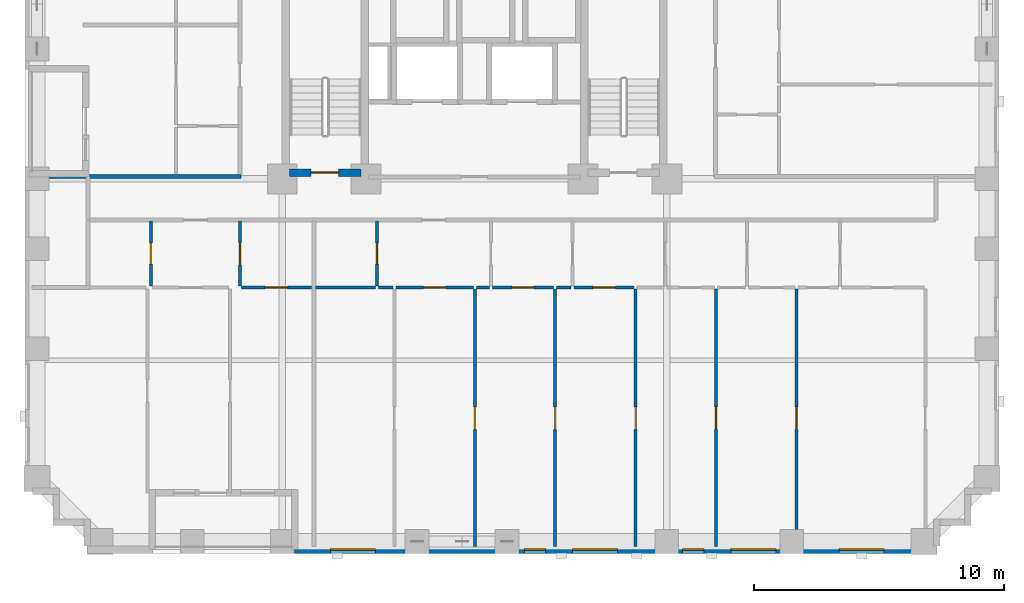
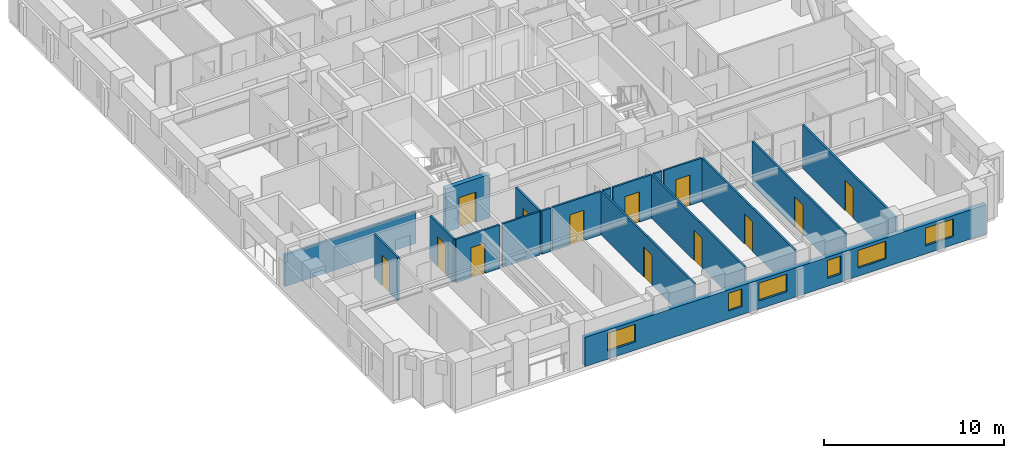
# One storey, part 3 of 14: 19 walls, 13 doors, 6 windows, 19 openings.
"""IFC4 building model written with IfcOpenShell, lengths in metres."""

from ifc_helpers import new_model, si_unit, derived_unit, direction, frame, frame_2d, origin, place, context, subcontext, project, spatial, rectangle, extrude, material, layer, layer_set, type_object, element, fill, save


model = new_model("IFC4")

# Units and contexts
model_context = context("Model", 3, precision=1e-05, world=origin(), true_north=direction((0.0, 1.0)))
body_context = subcontext(model_context, "Body", "Model", "MODEL_VIEW")
ifc_project = project(units=[si_unit("LENGTHUNIT", "METRE"), si_unit("AREAUNIT", "SQUARE_METRE"), si_unit("VOLUMEUNIT", "CUBIC_METRE"), si_unit("PLANEANGLEUNIT", "RADIAN"), si_unit("MASSUNIT", "GRAM", prefix="KILO"), derived_unit("THERMALTRANSMITTANCEUNIT", [(si_unit("MASSUNIT", "GRAM", prefix="KILO"), 1), (si_unit("TIMEUNIT", "SECOND"), -3), (si_unit("THERMODYNAMICTEMPERATUREUNIT", "KELVIN"), -1)])], contexts=[model_context])

# Site, building, storey
site_placement = place(None, origin())
site = spatial("IfcSite", under=ifc_project, at=site_placement, CompositionType="ELEMENT")
building_placement = place(site_placement, origin())
building = spatial("IfcBuilding", under=site, at=building_placement, Name="Korrvale Station Residences", CompositionType="ELEMENT")
storey_placement = place(building_placement, frame((0.0, 0.0, 38.60009765625)))
storey = spatial("IfcBuildingStorey", under=building, at=storey_placement, Name="L09", CompositionType="ELEMENT", Elevation=38.60009765625)

# Wall, opening, door
ifc_material_1 = material(Name="Concrete C70/85", Category="concrete")
ifc_layer_1 = layer(ifc_material_1, 0.300048828125, Name="Concrete C70/85")
ifc_layer_set_1 = layer_set([ifc_layer_1], Name="Concrete C70/85")
wall_type_1 = type_object("IfcWallType", Name="WAL-CORE-300-C70", PredefinedType="SHEAR", material=ifc_layer_set_1)
wall_1_placement = place(storey_placement, frame((18.10009765625, 15.25, 0.0), z_axis=(0.0, 0.0, 1.0), x_axis=(1.0, 0.0, 0.0)))
wall_1 = element("IfcWall", 1, at=wall_1_placement, inside=storey, type_object=wall_type_1, Name="L09 ST-1 Core Shear Wall South", PredefinedType="SHEAR", context=body_context, shape_type="SweptSolid", body=[
    extrude(rectangle(XDim=2.849853515625, YDim=0.300048828125, at=frame_2d((1.4248046875, 0.0))), origin(), (0.0, 0.0, 1.0), 2.93994140625),
])
opening_1_placement = place(wall_1_placement, frame((0.860107421875, 0.0, 0.0)))
opening_1 = element("IfcOpeningElement", 2, at=opening_1_placement, cuts=wall_1, Name="Opening SD-1100", PredefinedType="OPENING", context=body_context, shape_type="SweptSolid", body=[
    extrude(rectangle(XDim=1.10009765625, YDim=2.050048828125, at=frame_2d((0.550048828125, 1.02490234375))), frame((0.0, 0.16015625, 0.0), z_axis=(0.0, -1.0, 0.0), x_axis=(1.0, 0.0, 0.0)), (0.0, 0.0, 1.0), 0.320068359375),
])
ifc_material_2 = material(Name="Hollow-metal fire-rated stair door with closer", Category="steel")
door_type_1 = type_object("IfcDoorType", Name="DR-STAIR-1100", OperationType="NOTDEFINED", PredefinedType="DOOR", material=ifc_material_2)
door_1_placement = place(opening_1_placement, origin())
door_1 = element("IfcDoor", 3, at=door_1_placement, inside=storey, type_object=door_type_1, Name="L09 ST-1 Exit Stair Door", OperationType="SINGLE_SWING_LEFT", OverallHeight=2.050048828125, OverallWidth=1.10009765625, PredefinedType="DOOR", context=body_context, shape_type="SweptSolid", body=[
    extrude(rectangle(XDim=1.10009765625, YDim=2.050048828125, at=frame_2d((0.550048828125, 1.02490234375))), frame((0.0, 0.02490234375, 0.0), z_axis=(0.0, -1.0, 0.0), x_axis=(1.0, 0.0, 0.0)), (0.0, 0.0, 1.0), 0.050048828125),
])
fill(opening_1, door_1)

# Wall, openings, windows
ifc_material_3 = material(Name="Precast concrete C45/55", Category="concrete")
ifc_layer_2 = layer(ifc_material_3, 0.300048828125, Name="Precast concrete C45/55")
ifc_layer_set_2 = layer_set([ifc_layer_2], Name="Precast concrete C45/55")
wall_type_2 = type_object("IfcWallType", Name="WAL-EXT-PC300", PredefinedType="SOLIDWALL", material=ifc_layer_set_2)
wall_2_placement = place(storey_placement, frame((44.0, 0.14990234375, 0.0), z_axis=(0.0, 0.0, 1.0), x_axis=(-1.0, 0.0, 0.0)))
wall_2 = element("IfcWall", 4, at=wall_2_placement, inside=storey, type_object=wall_type_2, Name="L09 South Exterior Precast Wall 1", PredefinedType="SOLIDWALL", context=body_context, shape_type="SweptSolid", body=[
    extrude(rectangle(XDim=25.699951171875, YDim=0.300048828125, at=frame_2d((12.85009765625, 0.0))), origin(), (0.0, 0.0, 1.0), 1.974853515625),
])
opening_2_placement = place(wall_2_placement, frame((22.470947265625, 0.0, 0.550048828125)))
opening_2 = element("IfcOpeningElement", 5, at=opening_2_placement, cuts=wall_2, Name="Opening W-09", PredefinedType="OPENING", context=body_context, shape_type="SweptSolid", body=[
    extrude(rectangle(XDim=1.800048828125, YDim=1.199951171875, at=frame_2d((0.89990234375, 0.60009765625))), frame((0.0, 0.16015625, 0.0), z_axis=(0.0, -1.0, 0.0), x_axis=(1.0, 0.0, 0.0)), (0.0, 0.0, 1.0), 0.320068359375),
])
opening_3_placement = place(wall_2_placement, frame((15.64990234375, 0.0, 0.550048828125)))
opening_3 = element("IfcOpeningElement", 6, at=opening_3_placement, cuts=wall_2, Name="Opening W-11", PredefinedType="OPENING", context=body_context, shape_type="SweptSolid", body=[
    extrude(rectangle(XDim=0.85009765625, YDim=1.199951171875, at=frame_2d((0.425048828125, 0.60009765625))), frame((0.0, 0.16015625, 0.0), z_axis=(0.0, -1.0, 0.0), x_axis=(1.0, 0.0, 0.0)), (0.0, 0.0, 1.0), 0.320068359375),
])
opening_4_placement = place(wall_2_placement, frame((12.777099609375, 0.0, 0.550048828125)))
opening_4 = element("IfcOpeningElement", 7, at=opening_4_placement, cuts=wall_2, Name="Opening W-09", PredefinedType="OPENING", context=body_context, shape_type="SweptSolid", body=[
    extrude(rectangle(XDim=1.800048828125, YDim=1.199951171875, at=frame_2d((0.89990234375, 0.60009765625))), frame((0.0, 0.16015625, 0.0), z_axis=(0.0, -1.0, 0.0), x_axis=(1.0, 0.0, 0.0)), (0.0, 0.0, 1.0), 0.320068359375),
])
opening_5_placement = place(wall_2_placement, frame((9.31494140625, 0.0, 0.550048828125)))
opening_5 = element("IfcOpeningElement", 8, at=opening_5_placement, cuts=wall_2, Name="Opening W-11", PredefinedType="OPENING", context=body_context, shape_type="SweptSolid", body=[
    extrude(rectangle(XDim=0.85009765625, YDim=1.199951171875, at=frame_2d((0.425048828125, 0.60009765625))), frame((0.0, 0.16015625, 0.0), z_axis=(0.0, -1.0, 0.0), x_axis=(1.0, 0.0, 0.0)), (0.0, 0.0, 1.0), 0.320068359375),
])
opening_6_placement = place(wall_2_placement, frame((6.43505859375, 0.0, 0.550048828125)))
opening_6 = element("IfcOpeningElement", 9, at=opening_6_placement, cuts=wall_2, Name="Opening W-09", PredefinedType="OPENING", context=body_context, shape_type="SweptSolid", body=[
    extrude(rectangle(XDim=1.800048828125, YDim=1.199951171875, at=frame_2d((0.89990234375, 0.60009765625))), frame((0.0, 0.16015625, 0.0), z_axis=(0.0, -1.0, 0.0), x_axis=(1.0, 0.0, 0.0)), (0.0, 0.0, 1.0), 0.320068359375),
])
opening_7_placement = place(wall_2_placement, frame((2.10595703125, 0.0, 0.550048828125)))
opening_7 = element("IfcOpeningElement", 10, at=opening_7_placement, cuts=wall_2, Name="Opening W-09", PredefinedType="OPENING", context=body_context, shape_type="SweptSolid", body=[
    extrude(rectangle(XDim=1.800048828125, YDim=1.199951171875, at=frame_2d((0.89990234375, 0.60009765625))), frame((0.0, 0.16015625, 0.0), z_axis=(0.0, -1.0, 0.0), x_axis=(1.0, 0.0, 0.0)), (0.0, 0.0, 1.0), 0.320068359375),
])
ifc_material_4 = material(Name="Thermally broken aluminium frame with triple low-e glazing", Category="aluminium")
window_type_1 = type_object("IfcWindowType", Name="WIN-W09", PartitioningType="DOUBLE_PANEL_VERTICAL", PredefinedType="WINDOW", material=ifc_material_4)
window_1_placement = place(opening_2_placement, origin())
window_1 = element("IfcWindow", 11, at=window_1_placement, inside=storey, type_object=window_type_1, Name="L09 Punched Window 05", OverallHeight=1.199951171875, OverallWidth=1.800048828125, PartitioningType="DOUBLE_PANEL_VERTICAL", PredefinedType="WINDOW", context=body_context, shape_type="SweptSolid", body=[
    extrude(rectangle(XDim=1.800048828125, YDim=1.199951171875, at=frame_2d((0.89990234375, 0.60009765625))), frame((0.0, 0.030029296875, 0.0), z_axis=(0.0, -1.0, 0.0), x_axis=(1.0, 0.0, 0.0)), (0.0, 0.0, 1.0), 0.06005859375),
])
fill(opening_2, window_1)
window_2_placement = place(opening_4_placement, origin())
window_2 = element("IfcWindow", 12, at=window_2_placement, inside=storey, type_object=window_type_1, Name="L09 Punched Window 07", OverallHeight=1.199951171875, OverallWidth=1.800048828125, PartitioningType="DOUBLE_PANEL_VERTICAL", PredefinedType="WINDOW", context=body_context, shape_type="SweptSolid", body=[
    extrude(rectangle(XDim=1.800048828125, YDim=1.199951171875, at=frame_2d((0.89990234375, 0.60009765625))), frame((0.0, 0.030029296875, 0.0), z_axis=(0.0, -1.0, 0.0), x_axis=(1.0, 0.0, 0.0)), (0.0, 0.0, 1.0), 0.06005859375),
])
fill(opening_4, window_2)
window_3_placement = place(opening_6_placement, origin())
window_3 = element("IfcWindow", 13, at=window_3_placement, inside=storey, type_object=window_type_1, Name="L09 Punched Window 09", OverallHeight=1.199951171875, OverallWidth=1.800048828125, PartitioningType="DOUBLE_PANEL_VERTICAL", PredefinedType="WINDOW", context=body_context, shape_type="SweptSolid", body=[
    extrude(rectangle(XDim=1.800048828125, YDim=1.199951171875, at=frame_2d((0.89990234375, 0.60009765625))), frame((0.0, 0.030029296875, 0.0), z_axis=(0.0, -1.0, 0.0), x_axis=(1.0, 0.0, 0.0)), (0.0, 0.0, 1.0), 0.06005859375),
])
fill(opening_6, window_3)
window_4_placement = place(opening_7_placement, origin())
window_4 = element("IfcWindow", 14, at=window_4_placement, inside=storey, type_object=window_type_1, Name="L09 Punched Window 10", OverallHeight=1.199951171875, OverallWidth=1.800048828125, PartitioningType="DOUBLE_PANEL_VERTICAL", PredefinedType="WINDOW", context=body_context, shape_type="SweptSolid", body=[
    extrude(rectangle(XDim=1.800048828125, YDim=1.199951171875, at=frame_2d((0.89990234375, 0.60009765625))), frame((0.0, 0.030029296875, 0.0), z_axis=(0.0, -1.0, 0.0), x_axis=(1.0, 0.0, 0.0)), (0.0, 0.0, 1.0), 0.06005859375),
])
fill(opening_7, window_4)
window_type_2 = type_object("IfcWindowType", Name="WIN-W11", PartitioningType="SINGLE_PANEL", PredefinedType="WINDOW", material=ifc_material_4)
window_5_placement = place(opening_3_placement, origin())
window_5 = element("IfcWindow", 15, at=window_5_placement, inside=storey, type_object=window_type_2, Name="L09 Punched Window 06", OverallHeight=1.199951171875, OverallWidth=0.85009765625, PartitioningType="SINGLE_PANEL", PredefinedType="WINDOW", context=body_context, shape_type="SweptSolid", body=[
    extrude(rectangle(XDim=0.85009765625, YDim=1.199951171875, at=frame_2d((0.425048828125, 0.60009765625))), frame((0.0, 0.030029296875, 0.0), z_axis=(0.0, -1.0, 0.0), x_axis=(1.0, 0.0, 0.0)), (0.0, 0.0, 1.0), 0.06005859375),
])
fill(opening_3, window_5)
window_6_placement = place(opening_5_placement, origin())
window_6 = element("IfcWindow", 16, at=window_6_placement, inside=storey, type_object=window_type_2, Name="L09 Punched Window 08", OverallHeight=1.199951171875, OverallWidth=0.85009765625, PartitioningType="SINGLE_PANEL", PredefinedType="WINDOW", context=body_context, shape_type="SweptSolid", body=[
    extrude(rectangle(XDim=0.85009765625, YDim=1.199951171875, at=frame_2d((0.425048828125, 0.60009765625))), frame((0.0, 0.030029296875, 0.0), z_axis=(0.0, -1.0, 0.0), x_axis=(1.0, 0.0, 0.0)), (0.0, 0.0, 1.0), 0.06005859375),
])
fill(opening_5, window_6)

# Wall, opening, door
ifc_material_5 = material(Name="Acoustic steel-stud gypsum board partition", Category="steel")
ifc_layer_3 = layer(ifc_material_5, 0.1201171875, Name="Acoustic steel-stud gypsum board partition")
ifc_layer_set_3 = layer_set([ifc_layer_3], Name="Acoustic steel-stud gypsum board partition")
wall_type_3 = type_object("IfcWallType", Name="WAL-PART-125", PredefinedType="PARTITIONING", material=ifc_layer_set_3)
wall_3_placement = place(storey_placement, frame((12.5400390625, 10.7099609375, 0.0), z_axis=(0.0, 0.0, 1.0), x_axis=(0.0, 1.0, 0.0)))
wall_3 = element("IfcWall", 17, at=wall_3_placement, inside=storey, type_object=wall_type_3, Name="L09 Suite Partition U01-V01", PredefinedType="PARTITIONING", context=body_context, shape_type="SweptSolid", body=[
    extrude(rectangle(XDim=2.60009765625, YDim=0.1201171875, at=frame_2d((1.300048828125, 0.0))), origin(), (0.0, 0.0, 1.0), 2.93994140625),
])
opening_8_placement = place(wall_3_placement, frame((0.8701171875, 0.0, 0.0)))
opening_8 = element("IfcOpeningElement", 18, at=opening_8_placement, cuts=wall_3, Name="Opening DB-860", PredefinedType="OPENING", context=body_context, shape_type="SweptSolid", body=[
    extrude(rectangle(XDim=0.860107421875, YDim=2.050048828125, at=frame_2d((0.43017578125, 1.02490234375))), frame((0.0, 0.070068359375, 0.0), z_axis=(0.0, -1.0, 0.0), x_axis=(1.0, 0.0, 0.0)), (0.0, 0.0, 1.0), 0.14013671875),
])
ifc_material_6 = material(Name="Moisture-resistant solid-core bathroom door", Category="timber")
door_type_2 = type_object("IfcDoorType", Name="DR-BATH-860", OperationType="NOTDEFINED", PredefinedType="DOOR", material=ifc_material_6)
door_2_placement = place(opening_8_placement, origin())
door_2 = element("IfcDoor", 19, at=door_2_placement, inside=storey, type_object=door_type_2, Name="L09 Apartment 2BR L09-U01 Bathroom Door", OperationType="SINGLE_SWING_RIGHT", OverallHeight=2.050048828125, OverallWidth=0.860107421875, PredefinedType="DOOR", context=body_context, shape_type="SweptSolid", body=[
    extrude(rectangle(XDim=0.860107421875, YDim=2.050048828125, at=frame_2d((0.43017578125, 1.02490234375))), frame((0.0, 0.02490234375, 0.0), z_axis=(0.0, -1.0, 0.0), x_axis=(1.0, 0.0, 0.0)), (0.0, 0.0, 1.0), 0.050048828125),
])
fill(opening_8, door_2)

wall_4_placement = place(storey_placement, frame((16.110107421875, 10.7099609375, 0.0), z_axis=(0.0, 0.0, 1.0), x_axis=(0.0, 1.0, 0.0)))
wall_4 = element("IfcWall", 20, at=wall_4_placement, inside=storey, type_object=wall_type_3, Name="L09 Suite Partition U01-V12", PredefinedType="PARTITIONING", context=body_context, shape_type="SweptSolid", body=[
    extrude(rectangle(XDim=2.60009765625, YDim=0.1201171875, at=frame_2d((1.300048828125, 0.0))), origin(), (0.0, 0.0, 1.0), 2.93994140625),
])
opening_9_placement = place(wall_4_placement, frame((0.85009765625, 0.0, 0.0)))
opening_9 = element("IfcOpeningElement", 21, at=opening_9_placement, cuts=wall_4, Name="Opening DI-900", PredefinedType="OPENING", context=body_context, shape_type="SweptSolid", body=[
    extrude(rectangle(XDim=0.89990234375, YDim=2.050048828125, at=frame_2d((0.449951171875, 1.02490234375))), frame((0.0, 0.070068359375, 0.0), z_axis=(0.0, -1.0, 0.0), x_axis=(1.0, 0.0, 0.0)), (0.0, 0.0, 1.0), 0.14013671875),
])
ifc_material_7 = material(Name="Painted solid-core timber interior room door", Category="wood")
door_type_3 = type_object("IfcDoorType", Name="DR-INT-900", OperationType="NOTDEFINED", PredefinedType="DOOR", material=ifc_material_7)
door_3_placement = place(opening_9_placement, origin())
door_3 = element("IfcDoor", 22, at=door_3_placement, inside=storey, type_object=door_type_3, Name="L09 Apartment 2BR L09-U01 Kitchen Door", OperationType="SINGLE_SWING_LEFT", OverallHeight=2.050048828125, OverallWidth=0.89990234375, PredefinedType="DOOR", context=body_context, shape_type="SweptSolid", body=[
    extrude(rectangle(XDim=0.89990234375, YDim=2.050048828125, at=frame_2d((0.449951171875, 1.02490234375))), frame((0.0, 0.02490234375, 0.0), z_axis=(0.0, -1.0, 0.0), x_axis=(1.0, 0.0, 0.0)), (0.0, 0.0, 1.0), 0.050048828125),
])
fill(opening_9, door_3)

wall_5_placement = place(storey_placement, frame((16.169921875, 10.64990234375, 0.0), z_axis=(0.0, 0.0, 1.0), x_axis=(1.0, 0.0, 0.0)))
wall_5 = element("IfcWall", 23, at=wall_5_placement, inside=storey, type_object=wall_type_3, Name="L09 Suite Partition U01-H25", PredefinedType="PARTITIONING", context=body_context, shape_type="SweptSolid", body=[
    extrude(rectangle(XDim=2.800048828125, YDim=0.1201171875, at=frame_2d((1.39990234375, 0.0))), origin(), (0.0, 0.0, 1.0), 2.93994140625),
])
opening_10_placement = place(wall_5_placement, frame((0.949951171875, 0.0, 0.0)))
opening_10 = element("IfcOpeningElement", 24, at=opening_10_placement, cuts=wall_5, Name="Opening DI-900", PredefinedType="OPENING", context=body_context, shape_type="SweptSolid", body=[
    extrude(rectangle(XDim=0.89990234375, YDim=2.050048828125, at=frame_2d((0.449951171875, 1.02490234375))), frame((0.0, 0.070068359375, 0.0), z_axis=(0.0, -1.0, 0.0), x_axis=(1.0, 0.0, 0.0)), (0.0, 0.0, 1.0), 0.14013671875),
])
door_4_placement = place(opening_10_placement, origin())
door_4 = element("IfcDoor", 25, at=door_4_placement, inside=storey, type_object=door_type_3, Name="L09 Apartment 2BR L09-U01 Utility and Laundry Room Door", OperationType="SINGLE_SWING_LEFT", OverallHeight=2.050048828125, OverallWidth=0.89990234375, PredefinedType="DOOR", context=body_context, shape_type="SweptSolid", body=[
    extrude(rectangle(XDim=0.89990234375, YDim=2.050048828125, at=frame_2d((0.449951171875, 1.02490234375))), frame((0.0, 0.02490234375, 0.0), z_axis=(0.0, -1.0, 0.0), x_axis=(1.0, 0.0, 0.0)), (0.0, 0.0, 1.0), 0.050048828125),
])
fill(opening_10, door_4)

wall_6_placement = place(storey_placement, frame((21.590087890625, 10.7099609375, 0.0), z_axis=(0.0, 0.0, 1.0), x_axis=(0.0, 1.0, 0.0)))
wall_6 = element("IfcWall", 26, at=wall_6_placement, inside=storey, type_object=wall_type_3, Name="L09 Suite Partition U02-V01", PredefinedType="PARTITIONING", context=body_context, shape_type="SweptSolid", body=[
    extrude(rectangle(XDim=2.60009765625, YDim=0.1201171875, at=frame_2d((1.300048828125, 0.0))), origin(), (0.0, 0.0, 1.0), 2.93994140625),
])
opening_11_placement = place(wall_6_placement, frame((0.8701171875, 0.0, 0.0)))
opening_11 = element("IfcOpeningElement", 27, at=opening_11_placement, cuts=wall_6, Name="Opening DB-860", PredefinedType="OPENING", context=body_context, shape_type="SweptSolid", body=[
    extrude(rectangle(XDim=0.860107421875, YDim=2.050048828125, at=frame_2d((0.43017578125, 1.02490234375))), frame((0.0, 0.070068359375, 0.0), z_axis=(0.0, -1.0, 0.0), x_axis=(1.0, 0.0, 0.0)), (0.0, 0.0, 1.0), 0.14013671875),
])
door_5_placement = place(opening_11_placement, origin())
door_5 = element("IfcDoor", 28, at=door_5_placement, inside=storey, type_object=door_type_2, Name="L09 Studio Apartment L09-U02 Bathroom Door", OperationType="SINGLE_SWING_RIGHT", OverallHeight=2.050048828125, OverallWidth=0.860107421875, PredefinedType="DOOR", context=body_context, shape_type="SweptSolid", body=[
    extrude(rectangle(XDim=0.860107421875, YDim=2.050048828125, at=frame_2d((0.43017578125, 1.02490234375))), frame((0.0, 0.02490234375, 0.0), z_axis=(0.0, -1.0, 0.0), x_axis=(1.0, 0.0, 0.0)), (0.0, 0.0, 1.0), 0.050048828125),
])
fill(opening_11, door_5)

# Walls
wall_7_placement = place(storey_placement, frame((19.1298828125, 10.64990234375, 0.0), z_axis=(0.0, 0.0, 1.0), x_axis=(1.0, 0.0, 0.0)))
element("IfcWall", 29, at=wall_7_placement, inside=storey, type_object=wall_type_3, Name="L09 Suite Partition U02-H07", PredefinedType="PARTITIONING", context=body_context, shape_type="SweptSolid", body=[
    extrude(rectangle(XDim=2.400146484375, YDim=0.1201171875, at=frame_2d((1.2001953125, 0.0))), origin(), (0.0, 0.0, 1.0), 2.93994140625),
])
wall_8_placement = place(storey_placement, frame((21.64990234375, 10.64990234375, 0.0), z_axis=(0.0, 0.0, 1.0), x_axis=(1.0, 0.0, 0.0)))
element("IfcWall", 30, at=wall_8_placement, inside=storey, type_object=wall_type_3, Name="L09 Suite Partition U02-H17", PredefinedType="PARTITIONING", context=body_context, shape_type="SweptSolid", body=[
    extrude(rectangle(XDim=0.580078125, YDim=0.1201171875, at=frame_2d((0.2900390625, 0.0))), origin(), (0.0, 0.0, 1.0), 2.93994140625),
])

# Wall, opening, door
wall_9_placement = place(storey_placement, frame((22.35009765625, 10.64990234375, 0.0), z_axis=(0.0, 0.0, 1.0), x_axis=(1.0, 0.0, 0.0)))
wall_9 = element("IfcWall", 31, at=wall_9_placement, inside=storey, type_object=wall_type_3, Name="L09 Suite Partition U02-H18", PredefinedType="PARTITIONING", context=body_context, shape_type="SweptSolid", body=[
    extrude(rectangle(XDim=3.099853515625, YDim=0.1201171875, at=frame_2d((1.5498046875, 0.0))), origin(), (0.0, 0.0, 1.0), 2.93994140625),
])
opening_12_placement = place(wall_9_placement, frame((1.10009765625, 0.0, 0.0)))
opening_12 = element("IfcOpeningElement", 32, at=opening_12_placement, cuts=wall_9, Name="Opening DI-900", PredefinedType="OPENING", context=body_context, shape_type="SweptSolid", body=[
    extrude(rectangle(XDim=0.89990234375, YDim=2.050048828125, at=frame_2d((0.449951171875, 1.02490234375))), frame((0.0, 0.070068359375, 0.0), z_axis=(0.0, -1.0, 0.0), x_axis=(1.0, 0.0, 0.0)), (0.0, 0.0, 1.0), 0.14013671875),
])
door_6_placement = place(opening_12_placement, origin())
door_6 = element("IfcDoor", 33, at=door_6_placement, inside=storey, type_object=door_type_3, Name="L09 Studio Apartment L09-U02 Kitchen Door", OperationType="SINGLE_SWING_RIGHT", OverallHeight=2.050048828125, OverallWidth=0.89990234375, PredefinedType="DOOR", context=body_context, shape_type="SweptSolid", body=[
    extrude(rectangle(XDim=0.89990234375, YDim=2.050048828125, at=frame_2d((0.449951171875, 1.02490234375))), frame((0.0, 0.02490234375, 0.0), z_axis=(0.0, -1.0, 0.0), x_axis=(1.0, 0.0, 0.0)), (0.0, 0.0, 1.0), 0.050048828125),
])
fill(opening_12, door_6)

# Wall
wall_10_placement = place(storey_placement, frame((25.570068359375, 10.64990234375, 0.0), z_axis=(0.0, 0.0, 1.0), x_axis=(1.0, 0.0, 0.0)))
element("IfcWall", 34, at=wall_10_placement, inside=storey, type_object=wall_type_3, Name="L09 Suite Partition U02-H19", PredefinedType="PARTITIONING", context=body_context, shape_type="SweptSolid", body=[
    extrude(rectangle(XDim=0.52001953125, YDim=0.1201171875, at=frame_2d((0.260009765625, 0.0))), origin(), (0.0, 0.0, 1.0), 2.93994140625),
])

# Wall, opening, door
wall_11_placement = place(storey_placement, frame((26.2099609375, 10.64990234375, 0.0), z_axis=(0.0, 0.0, 1.0), x_axis=(1.0, 0.0, 0.0)))
wall_11 = element("IfcWall", 35, at=wall_11_placement, inside=storey, type_object=wall_type_3, Name="L09 Suite Partition U02-H29", PredefinedType="PARTITIONING", context=body_context, shape_type="SweptSolid", body=[
    extrude(rectangle(XDim=2.4599609375, YDim=0.1201171875, at=frame_2d((1.22998046875, 0.0))), origin(), (0.0, 0.0, 1.0), 2.93994140625),
])
opening_13_placement = place(wall_11_placement, frame((0.780029296875, 0.0, 0.0)))
opening_13 = element("IfcOpeningElement", 36, at=opening_13_placement, cuts=wall_11, Name="Opening DI-900", PredefinedType="OPENING", context=body_context, shape_type="SweptSolid", body=[
    extrude(rectangle(XDim=0.89990234375, YDim=2.050048828125, at=frame_2d((0.449951171875, 1.02490234375))), frame((0.0, 0.070068359375, 0.0), z_axis=(0.0, -1.0, 0.0), x_axis=(1.0, 0.0, 0.0)), (0.0, 0.0, 1.0), 0.14013671875),
])
door_7_placement = place(opening_13_placement, origin())
door_7 = element("IfcDoor", 37, at=door_7_placement, inside=storey, type_object=door_type_3, Name="L09 Studio Apartment L09-U02 Utility and Laundry Room Door", OperationType="SINGLE_SWING_RIGHT", OverallHeight=2.050048828125, OverallWidth=0.89990234375, PredefinedType="DOOR", context=body_context, shape_type="SweptSolid", body=[
    extrude(rectangle(XDim=0.89990234375, YDim=2.050048828125, at=frame_2d((0.449951171875, 1.02490234375))), frame((0.0, 0.02490234375, 0.0), z_axis=(0.0, -1.0, 0.0), x_axis=(1.0, 0.0, 0.0)), (0.0, 0.0, 1.0), 0.050048828125),
])
fill(opening_13, door_7)

# Wall
wall_12_placement = place(storey_placement, frame((28.7900390625, 10.64990234375, 0.0), z_axis=(0.0, 0.0, 1.0), x_axis=(1.0, 0.0, 0.0)))
element("IfcWall", 38, at=wall_12_placement, inside=storey, type_object=wall_type_3, Name="L09 Suite Partition U02-H210", PredefinedType="PARTITIONING", context=body_context, shape_type="SweptSolid", body=[
    extrude(rectangle(XDim=0.570068359375, YDim=0.1201171875, at=frame_2d((0.28515625, 0.0))), origin(), (0.0, 0.0, 1.0), 2.93994140625),
])

# Wall, opening, door
wall_13_placement = place(storey_placement, frame((29.47998046875, 10.64990234375, 0.0), z_axis=(0.0, 0.0, 1.0), x_axis=(1.0, 0.0, 0.0)))
wall_13 = element("IfcWall", 39, at=wall_13_placement, inside=storey, type_object=wall_type_3, Name="L09 Suite Partition U02-H310", PredefinedType="PARTITIONING", context=body_context, shape_type="SweptSolid", body=[
    extrude(rectangle(XDim=2.409912109375, YDim=0.1201171875, at=frame_2d((1.205078125, 0.0))), origin(), (0.0, 0.0, 1.0), 2.93994140625),
])
opening_14_placement = place(wall_13_placement, frame((0.7548828125, 0.0, 0.0)))
opening_14 = element("IfcOpeningElement", 40, at=opening_14_placement, cuts=wall_13, Name="Opening DI-900", PredefinedType="OPENING", context=body_context, shape_type="SweptSolid", body=[
    extrude(rectangle(XDim=0.89990234375, YDim=2.050048828125, at=frame_2d((0.449951171875, 1.02490234375))), frame((0.0, 0.070068359375, 0.0), z_axis=(0.0, -1.0, 0.0), x_axis=(1.0, 0.0, 0.0)), (0.0, 0.0, 1.0), 0.14013671875),
])
door_8_placement = place(opening_14_placement, origin())
door_8 = element("IfcDoor", 41, at=door_8_placement, inside=storey, type_object=door_type_3, Name="L09 Studio Apartment L09-U02 Storage Closet 2 Door", OperationType="SINGLE_SWING_RIGHT", OverallHeight=2.050048828125, OverallWidth=0.89990234375, PredefinedType="DOOR", context=body_context, shape_type="SweptSolid", body=[
    extrude(rectangle(XDim=0.89990234375, YDim=2.050048828125, at=frame_2d((0.449951171875, 1.02490234375))), frame((0.0, 0.02490234375, 0.0), z_axis=(0.0, -1.0, 0.0), x_axis=(1.0, 0.0, 0.0)), (0.0, 0.0, 1.0), 0.050048828125),
])
fill(opening_14, door_8)

wall_14_placement = place(storey_placement, frame((25.510009765625, 0.280029296875, 0.0), z_axis=(0.0, 0.0, 1.0), x_axis=(0.0, 1.0, 0.0)))
wall_14 = element("IfcWall", 42, at=wall_14_placement, inside=storey, type_object=wall_type_3, Name="L09 Suite Partition U02-V89", PredefinedType="PARTITIONING", context=body_context, shape_type="SweptSolid", body=[
    extrude(rectangle(XDim=10.31005859375, YDim=0.1201171875, at=frame_2d((5.155029296875, 0.0))), origin(), (0.0, 0.0, 1.0), 2.93994140625),
])
opening_15_placement = place(wall_14_placement, frame((4.68994140625, 0.0, 0.0)))
opening_15 = element("IfcOpeningElement", 43, at=opening_15_placement, cuts=wall_14, Name="Opening DI-900", PredefinedType="OPENING", context=body_context, shape_type="SweptSolid", body=[
    extrude(rectangle(XDim=0.89990234375, YDim=2.050048828125, at=frame_2d((0.449951171875, 1.02490234375))), frame((0.0, 0.070068359375, 0.0), z_axis=(0.0, -1.0, 0.0), x_axis=(1.0, 0.0, 0.0)), (0.0, 0.0, 1.0), 0.14013671875),
])
door_9_placement = place(opening_15_placement, origin())
door_9 = element("IfcDoor", 44, at=door_9_placement, inside=storey, type_object=door_type_3, Name="L09 Studio Apartment L09-U02 Walk-In Wardrobe Door", OperationType="SINGLE_SWING_LEFT", OverallHeight=2.050048828125, OverallWidth=0.89990234375, PredefinedType="DOOR", context=body_context, shape_type="SweptSolid", body=[
    extrude(rectangle(XDim=0.89990234375, YDim=2.050048828125, at=frame_2d((0.449951171875, 1.02490234375))), frame((0.0, 0.02490234375, 0.0), z_axis=(0.0, -1.0, 0.0), x_axis=(1.0, 0.0, 0.0)), (0.0, 0.0, 1.0), 0.050048828125),
])
fill(opening_15, door_9)

wall_15_placement = place(storey_placement, frame((28.72998046875, 0.280029296875, 0.0), z_axis=(0.0, 0.0, 1.0), x_axis=(0.0, 1.0, 0.0)))
wall_15 = element("IfcWall", 45, at=wall_15_placement, inside=storey, type_object=wall_type_3, Name="L09 Suite Partition U02-V910", PredefinedType="PARTITIONING", context=body_context, shape_type="SweptSolid", body=[
    extrude(rectangle(XDim=10.31005859375, YDim=0.1201171875, at=frame_2d((5.155029296875, 0.0))), origin(), (0.0, 0.0, 1.0), 2.93994140625),
])
opening_16_placement = place(wall_15_placement, frame((4.68994140625, 0.0, 0.0)))
opening_16 = element("IfcOpeningElement", 46, at=opening_16_placement, cuts=wall_15, Name="Opening DI-900", PredefinedType="OPENING", context=body_context, shape_type="SweptSolid", body=[
    extrude(rectangle(XDim=0.89990234375, YDim=2.050048828125, at=frame_2d((0.449951171875, 1.02490234375))), frame((0.0, 0.070068359375, 0.0), z_axis=(0.0, -1.0, 0.0), x_axis=(1.0, 0.0, 0.0)), (0.0, 0.0, 1.0), 0.14013671875),
])
door_10_placement = place(opening_16_placement, origin())
door_10 = element("IfcDoor", 47, at=door_10_placement, inside=storey, type_object=door_type_3, Name="L09 Studio Apartment L09-U02 Formal Dining Room Door", OperationType="SINGLE_SWING_RIGHT", OverallHeight=2.050048828125, OverallWidth=0.89990234375, PredefinedType="DOOR", context=body_context, shape_type="SweptSolid", body=[
    extrude(rectangle(XDim=0.89990234375, YDim=2.050048828125, at=frame_2d((0.449951171875, 1.02490234375))), frame((0.0, 0.02490234375, 0.0), z_axis=(0.0, -1.0, 0.0), x_axis=(1.0, 0.0, 0.0)), (0.0, 0.0, 1.0), 0.050048828125),
])
fill(opening_16, door_10)

wall_16_placement = place(storey_placement, frame((31.949951171875, 0.280029296875, 0.0), z_axis=(0.0, 0.0, 1.0), x_axis=(0.0, 1.0, 0.0)))
wall_16 = element("IfcWall", 48, at=wall_16_placement, inside=storey, type_object=wall_type_3, Name="L09 Suite Partition U02-V1011", PredefinedType="PARTITIONING", context=body_context, shape_type="SweptSolid", body=[
    extrude(rectangle(XDim=10.31005859375, YDim=0.1201171875, at=frame_2d((5.155029296875, 0.0))), origin(), (0.0, 0.0, 1.0), 2.93994140625),
])
opening_17_placement = place(wall_16_placement, frame((4.68994140625, 0.0, 0.0)))
opening_17 = element("IfcOpeningElement", 49, at=opening_17_placement, cuts=wall_16, Name="Opening DI-900", PredefinedType="OPENING", context=body_context, shape_type="SweptSolid", body=[
    extrude(rectangle(XDim=0.89990234375, YDim=2.050048828125, at=frame_2d((0.449951171875, 1.02490234375))), frame((0.0, 0.070068359375, 0.0), z_axis=(0.0, -1.0, 0.0), x_axis=(1.0, 0.0, 0.0)), (0.0, 0.0, 1.0), 0.14013671875),
])
door_11_placement = place(opening_17_placement, origin())
door_11 = element("IfcDoor", 50, at=door_11_placement, inside=storey, type_object=door_type_3, Name="L09 Studio Apartment L09-U02 Formal Dining Room Door", OperationType="SINGLE_SWING_LEFT", OverallHeight=2.050048828125, OverallWidth=0.89990234375, PredefinedType="DOOR", context=body_context, shape_type="SweptSolid", body=[
    extrude(rectangle(XDim=0.89990234375, YDim=2.050048828125, at=frame_2d((0.449951171875, 1.02490234375))), frame((0.0, 0.02490234375, 0.0), z_axis=(0.0, -1.0, 0.0), x_axis=(1.0, 0.0, 0.0)), (0.0, 0.0, 1.0), 0.050048828125),
])
fill(opening_17, door_11)

wall_17_placement = place(storey_placement, frame((35.169921875, 0.280029296875, 0.0), z_axis=(0.0, 0.0, 1.0), x_axis=(0.0, 1.0, 0.0)))
wall_17 = element("IfcWall", 51, at=wall_17_placement, inside=storey, type_object=wall_type_3, Name="L09 Suite Partition U02-V1112", PredefinedType="PARTITIONING", context=body_context, shape_type="SweptSolid", body=[
    extrude(rectangle(XDim=10.31005859375, YDim=0.1201171875, at=frame_2d((5.155029296875, 0.0))), origin(), (0.0, 0.0, 1.0), 2.93994140625),
])
opening_18_placement = place(wall_17_placement, frame((4.68994140625, 0.0, 0.0)))
opening_18 = element("IfcOpeningElement", 52, at=opening_18_placement, cuts=wall_17, Name="Opening DI-900", PredefinedType="OPENING", context=body_context, shape_type="SweptSolid", body=[
    extrude(rectangle(XDim=0.89990234375, YDim=2.050048828125, at=frame_2d((0.449951171875, 1.02490234375))), frame((0.0, 0.070068359375, 0.0), z_axis=(0.0, -1.0, 0.0), x_axis=(1.0, 0.0, 0.0)), (0.0, 0.0, 1.0), 0.14013671875),
])
door_12_placement = place(opening_18_placement, origin())
door_12 = element("IfcDoor", 53, at=door_12_placement, inside=storey, type_object=door_type_3, Name="L09 Studio Apartment L09-U02 Formal Dining Room Door", OperationType="SINGLE_SWING_RIGHT", OverallHeight=2.050048828125, OverallWidth=0.89990234375, PredefinedType="DOOR", context=body_context, shape_type="SweptSolid", body=[
    extrude(rectangle(XDim=0.89990234375, YDim=2.050048828125, at=frame_2d((0.449951171875, 1.02490234375))), frame((0.0, 0.02490234375, 0.0), z_axis=(0.0, -1.0, 0.0), x_axis=(1.0, 0.0, 0.0)), (0.0, 0.0, 1.0), 0.050048828125),
])
fill(opening_18, door_12)

wall_18_placement = place(storey_placement, frame((38.389892578125, 0.280029296875, 0.0), z_axis=(0.0, 0.0, 1.0), x_axis=(0.0, 1.0, 0.0)))
wall_18 = element("IfcWall", 54, at=wall_18_placement, inside=storey, type_object=wall_type_3, Name="L09 Suite Partition U02-V1213", PredefinedType="PARTITIONING", context=body_context, shape_type="SweptSolid", body=[
    extrude(rectangle(XDim=10.31005859375, YDim=0.1201171875, at=frame_2d((5.155029296875, 0.0))), origin(), (0.0, 0.0, 1.0), 2.93994140625),
])
opening_19_placement = place(wall_18_placement, frame((4.68994140625, 0.0, 0.0)))
opening_19 = element("IfcOpeningElement", 55, at=opening_19_placement, cuts=wall_18, Name="Opening DI-900", PredefinedType="OPENING", context=body_context, shape_type="SweptSolid", body=[
    extrude(rectangle(XDim=0.89990234375, YDim=2.050048828125, at=frame_2d((0.449951171875, 1.02490234375))), frame((0.0, 0.070068359375, 0.0), z_axis=(0.0, -1.0, 0.0), x_axis=(1.0, 0.0, 0.0)), (0.0, 0.0, 1.0), 0.14013671875),
])
door_13_placement = place(opening_19_placement, origin())
door_13 = element("IfcDoor", 56, at=door_13_placement, inside=storey, type_object=door_type_3, Name="L09 Studio Apartment L09-U02 Formal Dining Room Door", OperationType="SINGLE_SWING_LEFT", OverallHeight=2.050048828125, OverallWidth=0.89990234375, PredefinedType="DOOR", context=body_context, shape_type="SweptSolid", body=[
    extrude(rectangle(XDim=0.89990234375, YDim=2.050048828125, at=frame_2d((0.449951171875, 1.02490234375))), frame((0.0, 0.02490234375, 0.0), z_axis=(0.0, -1.0, 0.0), x_axis=(1.0, 0.0, 0.0)), (0.0, 0.0, 1.0), 0.050048828125),
])
fill(opening_19, door_13)

# Wall
ifc_material_8 = material(Name="Fire-rated twin-stud gypsum and mineral wool shaftwall assembly", Category="gypsum")
ifc_layer_4 = layer(ifc_material_8, 0.159912109375, Name="Fire-rated twin-stud gypsum and mineral wool shaftwall assembly")
ifc_layer_set_4 = layer_set([ifc_layer_4], Name="Fire-rated twin-stud gypsum and mineral wool shaftwall assembly")
wall_type_4 = type_object("IfcWallType", Name="WAL-PART-200", PredefinedType="PARTITIONING", material=ifc_layer_set_4)
wall_19_placement = place(storey_placement, frame((7.780029296875, 15.090087890625, 0.0), z_axis=(0.0, 0.0, 1.0), x_axis=(1.0, 0.0, 0.0)))
element("IfcWall", 57, at=wall_19_placement, inside=storey, type_object=wall_type_4, Name="L09 West Wing South Corridor Wall", PredefinedType="PARTITIONING", context=body_context, shape_type="SweptSolid", body=[
    extrude(rectangle(XDim=8.35986328125, YDim=0.159912109375, at=frame_2d((4.179931640625, 0.0))), origin(), (0.0, 0.0, 1.0), 2.15478515625),
])

save(model, "model.ifc")
